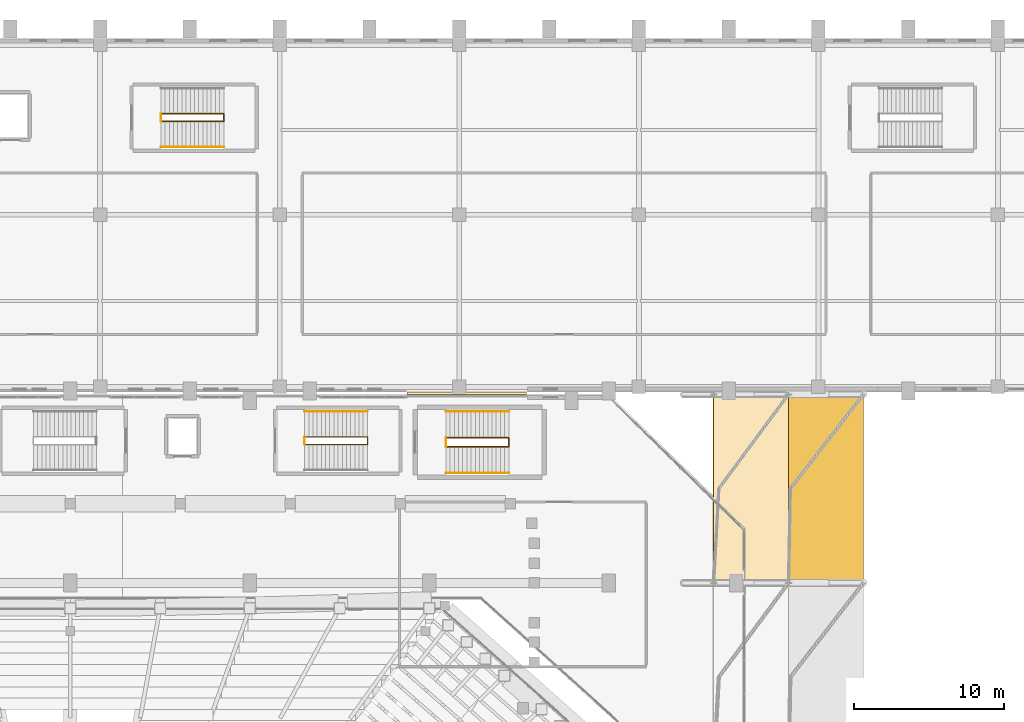
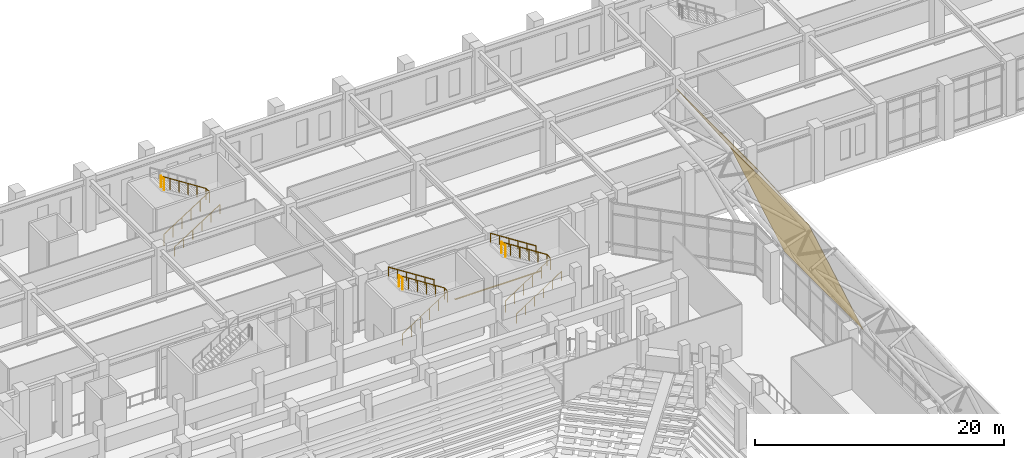
# One storey, part 153 of 159: 10 railings, 3 coverings.
"""IFC4 building model written with IfcOpenShell, lengths in metres."""

from ifc_helpers import new_model, si_unit, derived_unit, direction, frame, origin, origin_2d, place, context, subcontext, project, spatial, polyline, circle, outline, extrude, material, layer, layer_set, type_object, element, save


model = new_model("IFC4")

# Units and contexts
model_context = context("Model", 3, precision=1e-05, world=origin(), true_north=direction((0.0, 1.0)))
body_context = subcontext(model_context, "Body", "Model", "MODEL_VIEW")
ifc_project = project(units=[si_unit("LENGTHUNIT", "METRE"), si_unit("AREAUNIT", "SQUARE_METRE"), si_unit("VOLUMEUNIT", "CUBIC_METRE"), si_unit("PLANEANGLEUNIT", "RADIAN"), si_unit("MASSUNIT", "GRAM", prefix="KILO"), derived_unit("THERMALTRANSMITTANCEUNIT", [(si_unit("MASSUNIT", "GRAM", prefix="KILO"), 1), (si_unit("TIMEUNIT", "SECOND"), -3), (si_unit("THERMODYNAMICTEMPERATUREUNIT", "KELVIN"), -1)])], contexts=[model_context])

# Site, building, storey
site_placement = place(None, origin())
site = spatial("IfcSite", under=ifc_project, at=site_placement, CompositionType="ELEMENT")
building_placement = place(site_placement, origin())
building = spatial("IfcBuilding", under=site, at=building_placement, Name="Valcora Ridge Arena", CompositionType="ELEMENT")
storey_placement = place(building_placement, frame((0.0, 0.0, 6.0)))
storey = spatial("IfcBuildingStorey", under=building, at=storey_placement, Name="L01", CompositionType="ELEMENT", Elevation=6.0)

# Coverings
ifc_material_1 = material(Name="Steel ASTM A572 Grade 50", Category="steel")
ifc_layer_1 = layer(ifc_material_1, 0.02001953125, Name="Steel ASTM A572 Grade 50")
ifc_layer_set_1 = layer_set([ifc_layer_1], Name="Steel ASTM A572 Grade 50")
covering_type_1 = type_object("IfcCoveringType", Name="TY-COVERING-COV-SJ-150", PredefinedType="FLOORING", material=ifc_layer_set_1)
covering_1_placement = place(storey_placement, frame((0.0, 0.0, -0.02001953125)))
element("IfcCovering", 1, at=covering_1_placement, inside=storey, type_object=covering_type_1, Name="COV-SJ-150 COV-SJ-0020", PredefinedType="FLOORING", context=body_context, shape_type="SweptSolid", body=[
    extrude(outline(polyline([(80.5, 108.199951171875), (88.5, 108.199951171875), (88.5, 108.35009765625), (80.5, 108.35009765625), (80.5, 108.199951171875)])), origin(), (0.0, 0.0, 1.0), 0.02001953125),
])
ifc_material_2 = material(Name="Weathered zinc-bronze standing-seam metal Grade Z275")
ifc_layer_2 = layer(ifc_material_2, 0.0400390625, Name="Weathered zinc-bronze standing-seam metal Grade Z275")
ifc_layer_set_2 = layer_set([ifc_layer_2], Name="Weathered zinc-bronze standing-seam metal Grade Z275")
covering_type_2 = type_object("IfcCoveringType", Name="TY-COVERING-COV-ZINC-SKIRT", PredefinedType="ROOFING", material=ifc_layer_set_2)
covering_2_placement = place(storey_placement, frame((101.0, 95.60009765625, 13.49365234375), z_axis=(0.831958588032, 0.0, 0.554837731053), x_axis=(0.554837731053, 0.0, -0.831958588032)))
element("IfcCovering", 2, at=covering_2_placement, inside=storey, type_object=covering_type_2, Name="COV-ZINC-SKIRT COV-RF-0097", PredefinedType="ROOFING", context=body_context, shape_type="SweptSolid", body=[
    extrude(outline(polyline([(0.0, 0.0), (9.0116438017177, 0.0), (9.0116438017177, 12.599853515625), (0.0, 12.599853515625), (0.0, 0.0)])), origin(), (0.0, 0.0, -1.0), 0.0400390625),
])
covering_3_placement = place(storey_placement, frame((106.0, 95.60009765625, 5.996337890625), z_axis=(0.922302243293, 0.0, 0.386469367501), x_axis=(0.386469367501, 0.0, -0.922302243293)))
element("IfcCovering", 3, at=covering_3_placement, inside=storey, type_object=covering_type_2, Name="COV-ZINC-SKIRT COV-RF-0098", PredefinedType="ROOFING", context=body_context, shape_type="SweptSolid", body=[
    extrude(outline(polyline([(0.0, 0.0), (12.963536535956578, 0.0), (12.963536535956578, 12.599853515624996), (0.0, 12.599853515624996), (0.0, 0.0)])), origin(), (0.0, 0.0, -1.0), 0.0400390625),
])

# Railings
ifc_material_3 = material(Name="Galvanized painted steel ASTM A500 Grade B", Category="steel")
railing_type_1 = type_object("IfcRailingType", Name="TY-RAILING-GRD-STAIR-1120", PredefinedType="GUARDRAIL", material=ifc_material_3)
railing_1_placement = place(storey_placement, frame((83.110107421875, 104.699951171875, 0.0)))
element("IfcRailing", 4, at=railing_1_placement, inside=storey, type_object=railing_type_1, Name="GRD-STAIR-1120 RAL-SG-0039", PredefinedType="GUARDRAIL", context=body_context, shape_type="SweptSolid", body=[
    extrude(circle(Radius=0.02392578125, at=origin_2d()), frame((0.0, 0.0, 1.09619140625), z_axis=(0.841180064094, 0.0, 0.540755119968), x_axis=(0.0, 1.0, 0.0)), (0.0, 0.0, 1.0), 4.992919921875),
    extrude(circle(Radius=0.02392578125, at=origin_2d()), frame((4.199951171875, 0.0, 3.7958984375), z_axis=(0.0, 1.0, 0.0), x_axis=(-1.0, 0.0, 0.0)), (0.0, 0.0, 1.0), 0.60009765625),
    extrude(circle(Radius=0.02392578125, at=origin_2d()), frame((4.199951171875, 0.60009765625, 3.7958984375), z_axis=(-0.841180064094, 0.0, 0.540755119968), x_axis=(0.0, -1.0, 0.0)), (0.0, 0.0, 1.0), 4.992919921875),
    extrude(circle(Radius=0.02099609375, at=origin_2d()), origin(), (0.0, 0.0, 1.0), 1.072021484375),
    extrude(circle(Radius=0.02099609375, at=origin_2d()), frame((0.840087890625, 0.0, 0.5400390625)), (0.0, 0.0, 1.0), 1.072021484375),
    extrude(circle(Radius=0.02099609375, at=origin_2d()), frame((1.679931640625, 0.0, 1.080078125)), (0.0, 0.0, 1.0), 1.072021484375),
    extrude(circle(Radius=0.02099609375, at=origin_2d()), frame((2.52001953125, 0.0, 1.619873046875)), (0.0, 0.0, 1.0), 1.072021484375),
    extrude(circle(Radius=0.02099609375, at=origin_2d()), frame((3.35986328125, 0.0, 2.159912109375)), (0.0, 0.0, 1.0), 1.072021484375),
    extrude(circle(Radius=0.02099609375, at=origin_2d()), frame((4.199951171875, 0.0, 2.699951171875)), (0.0, 0.0, 1.0), 1.072021484375),
    extrude(circle(Radius=0.02099609375, at=origin_2d()), frame((4.199951171875, 0.60009765625, 2.699951171875)), (0.0, 0.0, 1.0), 1.072021484375),
    extrude(circle(Radius=0.02099609375, at=origin_2d()), frame((3.35986328125, 0.60009765625, 3.239990234375)), (0.0, 0.0, 1.0), 1.072021484375),
    extrude(circle(Radius=0.02099609375, at=origin_2d()), frame((2.52001953125, 0.60009765625, 3.780029296875)), (0.0, 0.0, 1.0), 1.072021484375),
    extrude(circle(Radius=0.02099609375, at=origin_2d()), frame((1.679931640625, 0.60009765625, 4.31982421875)), (0.0, 0.0, 1.0), 1.072021484375),
    extrude(circle(Radius=0.02099609375, at=origin_2d()), frame((0.840087890625, 0.60009765625, 4.85986328125)), (0.0, 0.0, 1.0), 1.072021484375),
    extrude(circle(Radius=0.02099609375, at=origin_2d()), frame((0.0, 0.60009765625, 5.39990234375)), (0.0, 0.0, 1.0), 1.072021484375),
])
railing_2_placement = place(storey_placement, frame((83.110107421875, 104.699951171875, 5.39990234375)))
element("IfcRailing", 5, at=railing_2_placement, inside=storey, type_object=railing_type_1, Name="GRD-STAIR-1120 RAL-SG-0040", PredefinedType="GUARDRAIL", context=body_context, shape_type="SweptSolid", body=[
    extrude(circle(Radius=0.02392578125, at=origin_2d()), frame((0.0, 0.0, 1.09619140625), z_axis=(0.0, 1.0, 0.0), x_axis=(-1.0, 0.0, 0.0)), (0.0, 0.0, 1.0), 0.60009765625),
    extrude(circle(Radius=0.02099609375, at=origin_2d()), origin(), (0.0, 0.0, 1.0), 1.072021484375),
    extrude(circle(Radius=0.02099609375, at=origin_2d()), frame((0.0, 0.60009765625, 0.0)), (0.0, 0.0, 1.0), 1.072021484375),
])
railing_3_placement = place(storey_placement, frame((73.659912109375, 104.85009765625, 0.0)))
element("IfcRailing", 6, at=railing_3_placement, inside=storey, type_object=railing_type_1, Name="GRD-STAIR-1120 RAL-SG-0123", PredefinedType="GUARDRAIL", context=body_context, shape_type="SweptSolid", body=[
    extrude(circle(Radius=0.02392578125, at=origin_2d()), frame((0.0, 0.0, 1.09619140625), z_axis=(0.841194361566, 0.0, 0.540732878665), x_axis=(0.0, 1.0, 0.0)), (0.0, 0.0, 1.0), 4.9931640625),
    extrude(circle(Radius=0.02392578125, at=origin_2d()), frame((4.2001953125, 0.0, 3.7958984375), z_axis=(0.0, 1.0, 0.0), x_axis=(-1.0, 0.0, 0.0)), (0.0, 0.0, 1.0), 0.5),
    extrude(circle(Radius=0.02392578125, at=origin_2d()), frame((4.2001953125, 0.5, 3.7958984375), z_axis=(-0.841194361566, 0.0, 0.540732878665), x_axis=(0.0, -1.0, 0.0)), (0.0, 0.0, 1.0), 4.9931640625),
    extrude(circle(Radius=0.02099609375, at=origin_2d()), origin(), (0.0, 0.0, 1.0), 1.072021484375),
    extrude(circle(Radius=0.02099609375, at=origin_2d()), frame((0.840087890625, 0.0, 0.5400390625)), (0.0, 0.0, 1.0), 1.072021484375),
    extrude(circle(Radius=0.02099609375, at=origin_2d()), frame((1.68017578125, 0.0, 1.080078125)), (0.0, 0.0, 1.0), 1.072021484375),
    extrude(circle(Radius=0.02099609375, at=origin_2d()), frame((2.52001953125, 0.0, 1.619873046875)), (0.0, 0.0, 1.0), 1.072021484375),
    extrude(circle(Radius=0.02099609375, at=origin_2d()), frame((3.360107421875, 0.0, 2.159912109375)), (0.0, 0.0, 1.0), 1.072021484375),
    extrude(circle(Radius=0.02099609375, at=origin_2d()), frame((4.2001953125, 0.0, 2.699951171875)), (0.0, 0.0, 1.0), 1.072021484375),
    extrude(circle(Radius=0.02099609375, at=origin_2d()), frame((4.2001953125, 0.5, 2.699951171875)), (0.0, 0.0, 1.0), 1.072021484375),
    extrude(circle(Radius=0.02099609375, at=origin_2d()), frame((3.360107421875, 0.5, 3.239990234375)), (0.0, 0.0, 1.0), 1.072021484375),
    extrude(circle(Radius=0.02099609375, at=origin_2d()), frame((2.52001953125, 0.5, 3.780029296875)), (0.0, 0.0, 1.0), 1.072021484375),
    extrude(circle(Radius=0.02099609375, at=origin_2d()), frame((1.68017578125, 0.5, 4.31982421875)), (0.0, 0.0, 1.0), 1.072021484375),
    extrude(circle(Radius=0.02099609375, at=origin_2d()), frame((0.840087890625, 0.5, 4.85986328125)), (0.0, 0.0, 1.0), 1.072021484375),
    extrude(circle(Radius=0.02099609375, at=origin_2d()), frame((0.0, 0.5, 5.39990234375)), (0.0, 0.0, 1.0), 1.072021484375),
])
railing_4_placement = place(storey_placement, frame((73.659912109375, 104.85009765625, 5.39990234375)))
element("IfcRailing", 7, at=railing_4_placement, inside=storey, type_object=railing_type_1, Name="GRD-STAIR-1120 RAL-SG-0124", PredefinedType="GUARDRAIL", context=body_context, shape_type="SweptSolid", body=[
    extrude(circle(Radius=0.02392578125, at=origin_2d()), frame((0.0, 0.0, 1.09619140625), z_axis=(0.0, 1.0, 0.0), x_axis=(-1.0, 0.0, 0.0)), (0.0, 0.0, 1.0), 0.5),
    extrude(circle(Radius=0.02099609375, at=origin_2d()), origin(), (0.0, 0.0, 1.0), 1.072021484375),
    extrude(circle(Radius=0.02099609375, at=origin_2d()), frame((0.0, 0.5, 0.0)), (0.0, 0.0, 1.0), 1.072021484375),
])
railing_5_placement = place(storey_placement, frame((64.06005859375, 126.449951171875, 0.0)))
element("IfcRailing", 8, at=railing_5_placement, inside=storey, type_object=railing_type_1, Name="GRD-STAIR-1120 RAL-SG-0157", PredefinedType="GUARDRAIL", context=body_context, shape_type="SweptSolid", body=[
    extrude(circle(Radius=0.02392578125, at=origin_2d()), frame((0.0, 0.0, 1.09619140625), z_axis=(0.841180064094, 0.0, 0.540755119968), x_axis=(0.0, 1.0, 0.0)), (0.0, 0.0, 1.0), 4.992919921875),
    extrude(circle(Radius=0.02392578125, at=origin_2d()), frame((4.199951171875, 0.0, 3.7958984375), z_axis=(0.0, 1.0, 0.0), x_axis=(-1.0, 0.0, 0.0)), (0.0, 0.0, 1.0), 0.5),
    extrude(circle(Radius=0.02392578125, at=origin_2d()), frame((4.199951171875, 0.5, 3.7958984375), z_axis=(-0.841180064094, 0.0, 0.540755119968), x_axis=(0.0, -1.0, 0.0)), (0.0, 0.0, 1.0), 4.992919921875),
    extrude(circle(Radius=0.02099609375, at=origin_2d()), origin(), (0.0, 0.0, 1.0), 1.072021484375),
    extrude(circle(Radius=0.02099609375, at=origin_2d()), frame((0.840087890625, 0.0, 0.5400390625)), (0.0, 0.0, 1.0), 1.072021484375),
    extrude(circle(Radius=0.02099609375, at=origin_2d()), frame((1.679931640625, 0.0, 1.080078125)), (0.0, 0.0, 1.0), 1.072021484375),
    extrude(circle(Radius=0.02099609375, at=origin_2d()), frame((2.52001953125, 0.0, 1.619873046875)), (0.0, 0.0, 1.0), 1.072021484375),
    extrude(circle(Radius=0.02099609375, at=origin_2d()), frame((3.35986328125, 0.0, 2.159912109375)), (0.0, 0.0, 1.0), 1.072021484375),
    extrude(circle(Radius=0.02099609375, at=origin_2d()), frame((4.199951171875, 0.0, 2.699951171875)), (0.0, 0.0, 1.0), 1.072021484375),
    extrude(circle(Radius=0.02099609375, at=origin_2d()), frame((4.199951171875, 0.5, 2.699951171875)), (0.0, 0.0, 1.0), 1.072021484375),
    extrude(circle(Radius=0.02099609375, at=origin_2d()), frame((3.35986328125, 0.5, 3.239990234375)), (0.0, 0.0, 1.0), 1.072021484375),
    extrude(circle(Radius=0.02099609375, at=origin_2d()), frame((2.52001953125, 0.5, 3.780029296875)), (0.0, 0.0, 1.0), 1.072021484375),
    extrude(circle(Radius=0.02099609375, at=origin_2d()), frame((1.679931640625, 0.5, 4.31982421875)), (0.0, 0.0, 1.0), 1.072021484375),
    extrude(circle(Radius=0.02099609375, at=origin_2d()), frame((0.840087890625, 0.5, 4.85986328125)), (0.0, 0.0, 1.0), 1.072021484375),
    extrude(circle(Radius=0.02099609375, at=origin_2d()), frame((0.0, 0.5, 5.39990234375)), (0.0, 0.0, 1.0), 1.072021484375),
])
railing_6_placement = place(storey_placement, frame((64.06005859375, 126.449951171875, 5.39990234375)))
element("IfcRailing", 9, at=railing_6_placement, inside=storey, type_object=railing_type_1, Name="GRD-STAIR-1120 RAL-SG-0158", PredefinedType="GUARDRAIL", context=body_context, shape_type="SweptSolid", body=[
    extrude(circle(Radius=0.02392578125, at=origin_2d()), frame((0.0, 0.0, 1.09619140625), z_axis=(0.0, 1.0, 0.0), x_axis=(-1.0, 0.0, 0.0)), (0.0, 0.0, 1.0), 0.5),
    extrude(circle(Radius=0.02099609375, at=origin_2d()), origin(), (0.0, 0.0, 1.0), 1.072021484375),
    extrude(circle(Radius=0.02099609375, at=origin_2d()), frame((0.0, 0.5, 0.0)), (0.0, 0.0, 1.0), 1.072021484375),
])
railing_type_2 = type_object("IfcRailingType", Name="TY-RAILING-HR-STAIR-900", PredefinedType="HANDRAIL", material=ifc_material_3)
railing_7_placement = place(storey_placement, frame((83.110107421875, 102.93994140625, 0.0)))
element("IfcRailing", 10, at=railing_7_placement, inside=storey, type_object=railing_type_2, Name="HR-STAIR-900 RAL-SH-0039", PredefinedType="HANDRAIL", context=body_context, shape_type="SweptSolid", body=[
    extrude(circle(Radius=0.02392578125, at=origin_2d()), frame((0.0, 0.0, 0.8759765625), z_axis=(0.841180064094, 0.0, 0.540755119968), x_axis=(0.0, 1.0, 0.0)), (0.0, 0.0, 1.0), 4.992919921875),
    extrude(circle(Radius=0.02099609375, at=origin_2d()), origin(), (0.0, 0.0, 1.0), 0.851806640625),
    extrude(circle(Radius=0.02099609375, at=origin_2d()), frame((0.840087890625, 0.0, 0.5400390625)), (0.0, 0.0, 1.0), 0.851806640625),
    extrude(circle(Radius=0.02099609375, at=origin_2d()), frame((1.679931640625, 0.0, 1.080078125)), (0.0, 0.0, 1.0), 0.851806640625),
    extrude(circle(Radius=0.02099609375, at=origin_2d()), frame((2.52001953125, 0.0, 1.619873046875)), (0.0, 0.0, 1.0), 0.851806640625),
    extrude(circle(Radius=0.02099609375, at=origin_2d()), frame((3.35986328125, 0.0, 2.159912109375)), (0.0, 0.0, 1.0), 0.851806640625),
    extrude(circle(Radius=0.02099609375, at=origin_2d()), frame((4.199951171875, 0.0, 2.699951171875)), (0.0, 0.0, 1.0), 0.851806640625),
])
railing_8_placement = place(storey_placement, frame((87.31005859375, 107.06005859375, 2.699951171875)))
element("IfcRailing", 11, at=railing_8_placement, inside=storey, type_object=railing_type_2, Name="HR-STAIR-900 RAL-SH-0040", PredefinedType="HANDRAIL", context=body_context, shape_type="SweptSolid", body=[
    extrude(circle(Radius=0.02392578125, at=origin_2d()), frame((0.0, 0.0, 0.8759765625), z_axis=(-0.841180064094, 0.0, 0.540755119968), x_axis=(0.0, -1.0, 0.0)), (0.0, 0.0, 1.0), 4.992919921875),
    extrude(circle(Radius=0.02099609375, at=origin_2d()), origin(), (0.0, 0.0, 1.0), 0.851806640625),
    extrude(circle(Radius=0.02099609375, at=origin_2d()), frame((-0.840087890625, 0.0, 0.5400390625)), (0.0, 0.0, 1.0), 0.851806640625),
    extrude(circle(Radius=0.02099609375, at=origin_2d()), frame((-1.679931640625, 0.0, 1.080078125)), (0.0, 0.0, 1.0), 0.851806640625),
    extrude(circle(Radius=0.02099609375, at=origin_2d()), frame((-2.52001953125, 0.0, 1.619873046875)), (0.0, 0.0, 1.0), 0.851806640625),
    extrude(circle(Radius=0.02099609375, at=origin_2d()), frame((-3.35986328125, 0.0, 2.159912109375)), (0.0, 0.0, 1.0), 0.851806640625),
    extrude(circle(Radius=0.02099609375, at=origin_2d()), frame((-4.199951171875, 0.0, 2.699951171875)), (0.0, 0.0, 1.0), 0.851806640625),
])
railing_9_placement = place(storey_placement, frame((77.860107421875, 107.06005859375, 2.699951171875)))
element("IfcRailing", 12, at=railing_9_placement, inside=storey, type_object=railing_type_2, Name="HR-STAIR-900 RAL-SH-0124", PredefinedType="HANDRAIL", context=body_context, shape_type="SweptSolid", body=[
    extrude(circle(Radius=0.02392578125, at=origin_2d()), frame((0.0, 0.0, 0.8759765625), z_axis=(-0.841194361566, 0.0, 0.540732878665), x_axis=(0.0, -1.0, 0.0)), (0.0, 0.0, 1.0), 4.9931640625),
    extrude(circle(Radius=0.02099609375, at=origin_2d()), origin(), (0.0, 0.0, 1.0), 0.851806640625),
    extrude(circle(Radius=0.02099609375, at=origin_2d()), frame((-0.840087890625, 0.0, 0.5400390625)), (0.0, 0.0, 1.0), 0.851806640625),
    extrude(circle(Radius=0.02099609375, at=origin_2d()), frame((-1.68017578125, 0.0, 1.080078125)), (0.0, 0.0, 1.0), 0.851806640625),
    extrude(circle(Radius=0.02099609375, at=origin_2d()), frame((-2.52001953125, 0.0, 1.619873046875)), (0.0, 0.0, 1.0), 0.851806640625),
    extrude(circle(Radius=0.02099609375, at=origin_2d()), frame((-3.360107421875, 0.0, 2.159912109375)), (0.0, 0.0, 1.0), 0.851806640625),
    extrude(circle(Radius=0.02099609375, at=origin_2d()), frame((-4.2001953125, 0.0, 2.699951171875)), (0.0, 0.0, 1.0), 0.851806640625),
])
railing_10_placement = place(storey_placement, frame((64.06005859375, 124.739990234375, 0.0)))
element("IfcRailing", 13, at=railing_10_placement, inside=storey, type_object=railing_type_2, Name="HR-STAIR-900 RAL-SH-0157", PredefinedType="HANDRAIL", context=body_context, shape_type="SweptSolid", body=[
    extrude(circle(Radius=0.02392578125, at=origin_2d()), frame((0.0, 0.0, 0.8759765625), z_axis=(0.841180064094, 0.0, 0.540755119968), x_axis=(0.0, 1.0, 0.0)), (0.0, 0.0, 1.0), 4.992919921875),
    extrude(circle(Radius=0.02099609375, at=origin_2d()), origin(), (0.0, 0.0, 1.0), 0.851806640625),
    extrude(circle(Radius=0.02099609375, at=origin_2d()), frame((0.840087890625, 0.0, 0.5400390625)), (0.0, 0.0, 1.0), 0.851806640625),
    extrude(circle(Radius=0.02099609375, at=origin_2d()), frame((1.679931640625, 0.0, 1.080078125)), (0.0, 0.0, 1.0), 0.851806640625),
    extrude(circle(Radius=0.02099609375, at=origin_2d()), frame((2.52001953125, 0.0, 1.619873046875)), (0.0, 0.0, 1.0), 0.851806640625),
    extrude(circle(Radius=0.02099609375, at=origin_2d()), frame((3.35986328125, 0.0, 2.159912109375)), (0.0, 0.0, 1.0), 0.851806640625),
    extrude(circle(Radius=0.02099609375, at=origin_2d()), frame((4.199951171875, 0.0, 2.699951171875)), (0.0, 0.0, 1.0), 0.851806640625),
])

save(model, "model.ifc")
